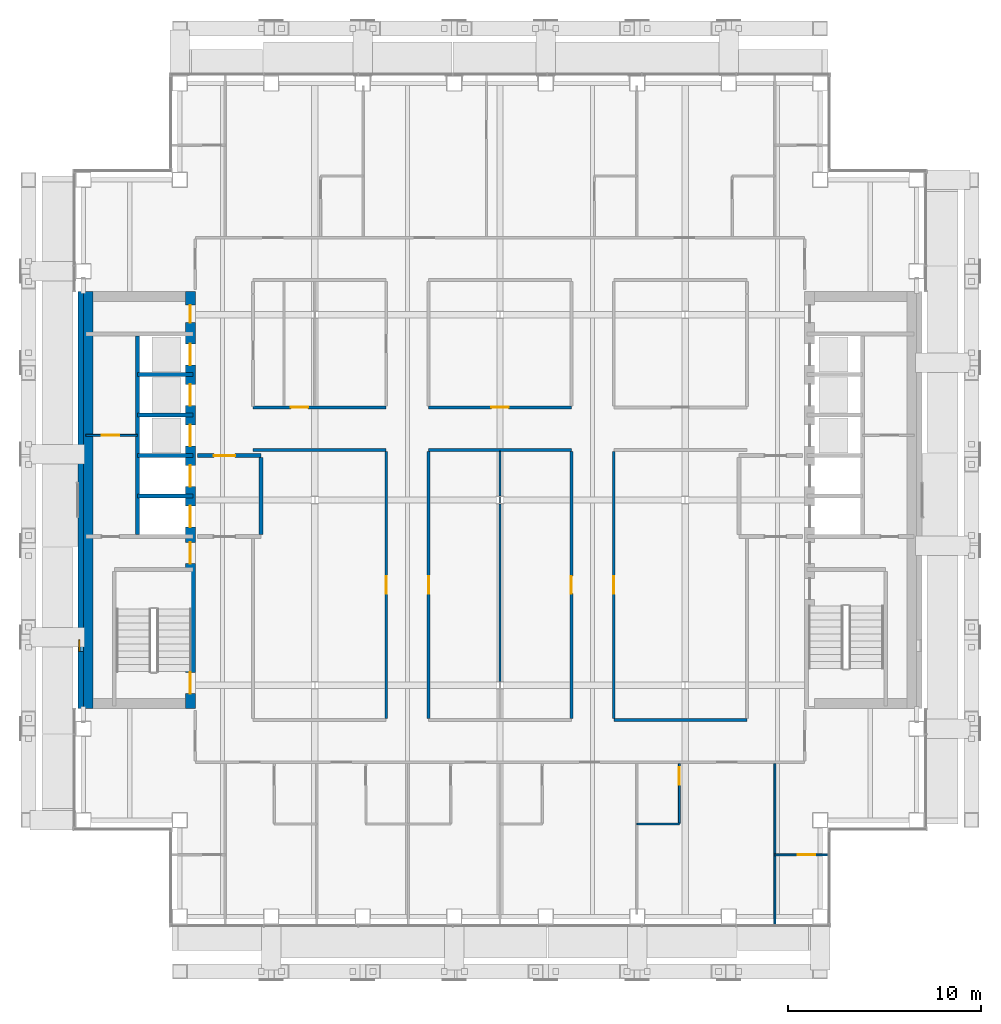
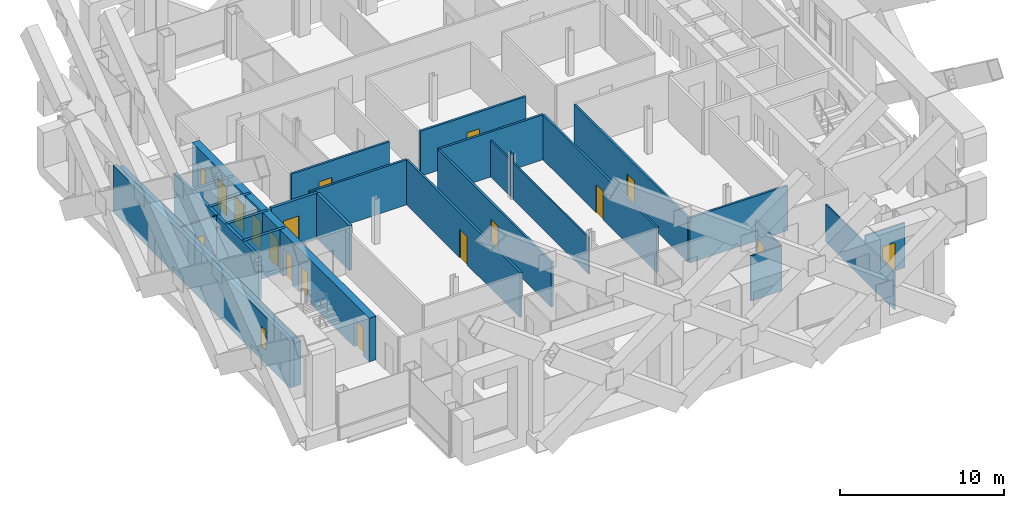
# One storey, part 14 of 25: 27 walls, 18 doors, 1 window, 19 openings.
"""IFC4 building model written with IfcOpenShell, lengths in metres."""

from ifc_helpers import new_model, si_unit, direction, frame, frame_2d, origin, place, context, subcontext, project, spatial, rectangle, extrude, material, layer, layer_set, type_object, element, fill, save


model = new_model("IFC4")

# Units and contexts
model_context = context("Model", 3, precision=1e-05, world=origin(), true_north=direction((0.0, 1.0)))
body_context = subcontext(model_context, "Body", "Model", "MODEL_VIEW")
ifc_project = project(units=[si_unit("LENGTHUNIT", "METRE"), si_unit("AREAUNIT", "SQUARE_METRE"), si_unit("VOLUMEUNIT", "CUBIC_METRE"), si_unit("PLANEANGLEUNIT", "RADIAN"), si_unit("MASSUNIT", "GRAM", prefix="KILO")], contexts=[model_context])

# Site, building, storey
site_placement = place(None, origin())
site = spatial("IfcSite", under=ifc_project, at=site_placement, CompositionType="ELEMENT")
building_placement = place(site_placement, origin())
building = spatial("IfcBuilding", under=site, at=building_placement, Name="Cobrizo Arcos Hotel Tower", CompositionType="ELEMENT")
storey_placement = place(building_placement, frame((0.0, 0.0, 148.0)))
storey = spatial("IfcBuildingStorey", under=building, at=storey_placement, Name="L37", CompositionType="ELEMENT", Elevation=148.0)

# Walls
ifc_material_1 = material(Name="Gypsum board partition")
ifc_layer_1 = layer(ifc_material_1, 0.14990234375)
ifc_layer_set_1 = layer_set([ifc_layer_1], Name="Corridor wall EI 60 150")
wall_type_1 = type_object("IfcWallType", Name="Corridor wall EI 60 150", PredefinedType="PARTITIONING", material=ifc_layer_set_1)
for number, where, z_axis, x_axis, name in (
    (1, (5.89990234375, -11.39990234375, 0.0), (0.0, 0.0, 1.0), (1.0, 0.0, 0.0), "Partition 010"),
    (2, (-12.800048828125, 2.60009765625, 0.0), (0.0, 0.0, 1.0), (1.0, 0.0, 0.0), "Partition 023"),
):
    element("IfcWall", number, at=place(storey_placement, frame(where, z_axis=z_axis, x_axis=x_axis)), inside=storey, type_object=wall_type_1, Name=name, PredefinedType="PARTITIONING", context=body_context, shape_type="SweptSolid", body=[
        extrude(rectangle(XDim=6.900146484375, YDim=0.14990234375, at=frame_2d((3.4501953125, 0.0))), origin(), (0.0, 0.0, 1.0), 3.35009765625),
    ])
wall_1_placement = place(storey_placement, frame((-3.699951171875, 2.60009765625, 0.0), z_axis=(0.0, 0.0, 1.0), x_axis=(1.0, 0.0, 0.0)))
element("IfcWall", 3, at=wall_1_placement, inside=storey, type_object=wall_type_1, Name="Partition 024", PredefinedType="PARTITIONING", context=body_context, shape_type="SweptSolid", body=[
    extrude(rectangle(XDim=7.39990234375, YDim=0.14990234375, at=frame_2d((3.699951171875, 0.0))), origin(), (0.0, 0.0, 1.0), 3.35009765625),
])

# Wall, opening, door
wall_2_placement = place(storey_placement, frame((-12.800048828125, 4.800048828125, 0.0), z_axis=(0.0, 0.0, 1.0), x_axis=(1.0, 0.0, 0.0)))
wall_2 = element("IfcWall", 4, at=wall_2_placement, inside=storey, type_object=wall_type_1, Name="Partition 030", PredefinedType="PARTITIONING", context=body_context, shape_type="SweptSolid", body=[
    extrude(rectangle(XDim=6.900146484375, YDim=0.14990234375, at=frame_2d((3.4501953125, 0.0))), origin(), (0.0, 0.0, 1.0), 3.35009765625),
])
opening_1_placement = place(wall_2_placement, frame((1.949951171875, 0.0, 0.0)))
opening_1 = element("IfcOpeningElement", 5, at=opening_1_placement, cuts=wall_2, Name="Opening ED-14", PredefinedType="OPENING", context=body_context, shape_type="SweptSolid", body=[
    extrude(rectangle(XDim=0.89990234375, YDim=2.10009765625, at=frame_2d((0.449951171875, 1.050048828125))), frame((0.0, 0.0869140625, 0.0), z_axis=(0.0, -1.0, 0.0), x_axis=(1.0, 0.0, 0.0)), (0.0, 0.0, 1.0), 0.173828125),
])
ifc_material_2 = material(Name="Timber door leaf", Category="wood")
door_type_1 = type_object("IfcDoorType", Name="En-suite door 900x2100", OperationType="SINGLE_SWING_LEFT", PredefinedType="DOOR", material=ifc_material_2)
door_1_placement = place(opening_1_placement, origin())
door_1 = element("IfcDoor", 6, at=door_1_placement, inside=storey, type_object=door_type_1, Name="Door ED-14", OperationType="SINGLE_SWING_LEFT", OverallHeight=2.10009765625, OverallWidth=0.89990234375, PredefinedType="DOOR", context=body_context, shape_type="SweptSolid", body=[
    extrude(rectangle(XDim=0.89990234375, YDim=2.10009765625, at=frame_2d((0.449951171875, 1.050048828125))), frame((0.0, 0.02490234375, 0.0), z_axis=(0.0, -1.0, 0.0), x_axis=(1.0, 0.0, 0.0)), (0.0, 0.0, 1.0), 0.050048828125),
])
fill(opening_1, door_1)

wall_3_placement = place(storey_placement, frame((-3.699951171875, 4.800048828125, 0.0), z_axis=(0.0, 0.0, 1.0), x_axis=(1.0, 0.0, 0.0)))
wall_3 = element("IfcWall", 7, at=wall_3_placement, inside=storey, type_object=wall_type_1, Name="Partition 031", PredefinedType="PARTITIONING", context=body_context, shape_type="SweptSolid", body=[
    extrude(rectangle(XDim=7.39990234375, YDim=0.14990234375, at=frame_2d((3.699951171875, 0.0))), origin(), (0.0, 0.0, 1.0), 3.35009765625),
])
opening_2_placement = place(wall_3_placement, frame((3.25, 0.0, 0.0)))
opening_2 = element("IfcOpeningElement", 8, at=opening_2_placement, cuts=wall_3, Name="Opening RD-10", PredefinedType="OPENING", context=body_context, shape_type="SweptSolid", body=[
    extrude(rectangle(XDim=0.89990234375, YDim=2.10009765625, at=frame_2d((0.449951171875, 1.050048828125))), frame((0.0, 0.0869140625, 0.0), z_axis=(0.0, -1.0, 0.0), x_axis=(1.0, 0.0, 0.0)), (0.0, 0.0, 1.0), 0.173828125),
])
door_type_2 = type_object("IfcDoorType", Name="Room door FD30 900x2100", OperationType="SINGLE_SWING_LEFT", PredefinedType="DOOR", material=ifc_material_2)
door_2_placement = place(opening_2_placement, origin())
door_2 = element("IfcDoor", 9, at=door_2_placement, inside=storey, type_object=door_type_2, Name="Door RD-10", OperationType="SINGLE_SWING_LEFT", OverallHeight=2.10009765625, OverallWidth=0.89990234375, PredefinedType="DOOR", context=body_context, shape_type="SweptSolid", body=[
    extrude(rectangle(XDim=0.89990234375, YDim=2.10009765625, at=frame_2d((0.449951171875, 1.050048828125))), frame((0.0, 0.02490234375, 0.0), z_axis=(0.0, -1.0, 0.0), x_axis=(1.0, 0.0, 0.0)), (0.0, 0.0, 1.0), 0.050048828125),
])
fill(opening_2, door_2)

wall_4_placement = place(storey_placement, frame((-5.89990234375, -11.324951171875, 0.0), z_axis=(0.0, 0.0, 1.0), x_axis=(0.0, 1.0, 0.0)))
wall_4 = element("IfcWall", 10, at=wall_4_placement, inside=storey, type_object=wall_type_1, Name="Partition 066", PredefinedType="PARTITIONING", context=body_context, shape_type="SweptSolid", body=[
    extrude(rectangle(XDim=13.849853515625, YDim=0.14990234375, at=frame_2d((6.9248046875, 0.0))), origin(), (0.0, 0.0, 1.0), 3.35009765625),
])
opening_3_placement = place(wall_4_placement, frame((6.47509765625, 0.0, 0.0)))
opening_3 = element("IfcOpeningElement", 11, at=opening_3_placement, cuts=wall_4, Name="Opening RD-14", PredefinedType="OPENING", context=body_context, shape_type="SweptSolid", body=[
    extrude(rectangle(XDim=0.89990234375, YDim=2.10009765625, at=frame_2d((0.449951171875, 1.050048828125))), frame((0.0, 0.0869140625, 0.0), z_axis=(0.0, -1.0, 0.0), x_axis=(1.0, 0.0, 0.0)), (0.0, 0.0, 1.0), 0.173828125),
])
door_3_placement = place(opening_3_placement, origin())
door_3 = element("IfcDoor", 12, at=door_3_placement, inside=storey, type_object=door_type_2, Name="Door RD-14", OperationType="SINGLE_SWING_LEFT", OverallHeight=2.10009765625, OverallWidth=0.89990234375, PredefinedType="DOOR", context=body_context, shape_type="SweptSolid", body=[
    extrude(rectangle(XDim=0.89990234375, YDim=2.10009765625, at=frame_2d((0.449951171875, 1.050048828125))), frame((0.0, 0.02490234375, 0.0), z_axis=(0.0, -1.0, 0.0), x_axis=(1.0, 0.0, 0.0)), (0.0, 0.0, 1.0), 0.050048828125),
])
fill(opening_3, door_3)

wall_5_placement = place(storey_placement, frame((-3.699951171875, -11.324951171875, 0.0), z_axis=(0.0, 0.0, 1.0), x_axis=(0.0, 1.0, 0.0)))
wall_5 = element("IfcWall", 13, at=wall_5_placement, inside=storey, type_object=wall_type_1, Name="Partition 070", PredefinedType="PARTITIONING", context=body_context, shape_type="SweptSolid", body=[
    extrude(rectangle(XDim=13.849853515625, YDim=0.14990234375, at=frame_2d((6.9248046875, 0.0))), origin(), (0.0, 0.0, 1.0), 3.35009765625),
])
opening_4_placement = place(wall_5_placement, frame((6.47509765625, 0.0, 0.0)))
opening_4 = element("IfcOpeningElement", 14, at=opening_4_placement, cuts=wall_5, Name="Opening RD-11", PredefinedType="OPENING", context=body_context, shape_type="SweptSolid", body=[
    extrude(rectangle(XDim=0.89990234375, YDim=2.10009765625, at=frame_2d((0.449951171875, 1.050048828125))), frame((0.0, 0.0869140625, 0.0), z_axis=(0.0, -1.0, 0.0), x_axis=(1.0, 0.0, 0.0)), (0.0, 0.0, 1.0), 0.173828125),
])
door_4_placement = place(opening_4_placement, origin())
door_4 = element("IfcDoor", 15, at=door_4_placement, inside=storey, type_object=door_type_2, Name="Door RD-11", OperationType="SINGLE_SWING_RIGHT", OverallHeight=2.10009765625, OverallWidth=0.89990234375, PredefinedType="DOOR", context=body_context, shape_type="SweptSolid", body=[
    extrude(rectangle(XDim=0.89990234375, YDim=2.10009765625, at=frame_2d((0.449951171875, 1.050048828125))), frame((0.0, 0.02490234375, 0.0), z_axis=(0.0, -1.0, 0.0), x_axis=(1.0, 0.0, 0.0)), (0.0, 0.0, 1.0), 0.050048828125),
])
fill(opening_4, door_4)

wall_6_placement = place(storey_placement, frame((3.699951171875, -11.324951171875, 0.0), z_axis=(0.0, 0.0, 1.0), x_axis=(0.0, 1.0, 0.0)))
wall_6 = element("IfcWall", 16, at=wall_6_placement, inside=storey, type_object=wall_type_1, Name="Partition 081", PredefinedType="PARTITIONING", context=body_context, shape_type="SweptSolid", body=[
    extrude(rectangle(XDim=13.849853515625, YDim=0.14990234375, at=frame_2d((6.9248046875, 0.0))), origin(), (0.0, 0.0, 1.0), 3.35009765625),
])
opening_5_placement = place(wall_6_placement, frame((6.47509765625, 0.0, 0.0)))
opening_5 = element("IfcOpeningElement", 17, at=opening_5_placement, cuts=wall_6, Name="Opening RD-12", PredefinedType="OPENING", context=body_context, shape_type="SweptSolid", body=[
    extrude(rectangle(XDim=0.89990234375, YDim=2.10009765625, at=frame_2d((0.449951171875, 1.050048828125))), frame((0.0, 0.0869140625, 0.0), z_axis=(0.0, -1.0, 0.0), x_axis=(1.0, 0.0, 0.0)), (0.0, 0.0, 1.0), 0.173828125),
])
door_5_placement = place(opening_5_placement, origin())
door_5 = element("IfcDoor", 18, at=door_5_placement, inside=storey, type_object=door_type_2, Name="Door RD-12", OperationType="SINGLE_SWING_LEFT", OverallHeight=2.10009765625, OverallWidth=0.89990234375, PredefinedType="DOOR", context=body_context, shape_type="SweptSolid", body=[
    extrude(rectangle(XDim=0.89990234375, YDim=2.10009765625, at=frame_2d((0.449951171875, 1.050048828125))), frame((0.0, 0.02490234375, 0.0), z_axis=(0.0, -1.0, 0.0), x_axis=(1.0, 0.0, 0.0)), (0.0, 0.0, 1.0), 0.050048828125),
])
fill(opening_5, door_5)

wall_7_placement = place(storey_placement, frame((5.89990234375, -11.324951171875, 0.0), z_axis=(0.0, 0.0, 1.0), x_axis=(0.0, 1.0, 0.0)))
wall_7 = element("IfcWall", 19, at=wall_7_placement, inside=storey, type_object=wall_type_1, Name="Partition 084", PredefinedType="PARTITIONING", context=body_context, shape_type="SweptSolid", body=[
    extrude(rectangle(XDim=13.849853515625, YDim=0.14990234375, at=frame_2d((6.9248046875, 0.0))), origin(), (0.0, 0.0, 1.0), 3.35009765625),
])
opening_6_placement = place(wall_7_placement, frame((6.47509765625, 0.0, 0.0)))
opening_6 = element("IfcOpeningElement", 20, at=opening_6_placement, cuts=wall_7, Name="Opening RD-13", PredefinedType="OPENING", context=body_context, shape_type="SweptSolid", body=[
    extrude(rectangle(XDim=0.89990234375, YDim=2.10009765625, at=frame_2d((0.449951171875, 1.050048828125))), frame((0.0, 0.0869140625, 0.0), z_axis=(0.0, -1.0, 0.0), x_axis=(1.0, 0.0, 0.0)), (0.0, 0.0, 1.0), 0.173828125),
])
door_6_placement = place(opening_6_placement, origin())
door_6 = element("IfcDoor", 21, at=door_6_placement, inside=storey, type_object=door_type_2, Name="Door RD-13", OperationType="SINGLE_SWING_RIGHT", OverallHeight=2.10009765625, OverallWidth=0.89990234375, PredefinedType="DOOR", context=body_context, shape_type="SweptSolid", body=[
    extrude(rectangle(XDim=0.89990234375, YDim=2.10009765625, at=frame_2d((0.449951171875, 1.050048828125))), frame((0.0, 0.02490234375, 0.0), z_axis=(0.0, -1.0, 0.0), x_axis=(1.0, 0.0, 0.0)), (0.0, 0.0, 1.0), 0.050048828125),
])
fill(opening_6, door_6)

# Wall, opening, window
ifc_material_3 = material(Name="Aluminium composite panel pale metal", Category="aluminium")
ifc_layer_2 = layer(ifc_material_3, 0.27490234375)
ifc_layer_set_2 = layer_set([ifc_layer_2], Name="EW-1 insulated panel wall 275")
wall_type_2 = type_object("IfcWallType", Name="EW-1 insulated panel wall 275", PredefinedType="SOLIDWALL", material=ifc_layer_set_2)
wall_8_placement = place(storey_placement, frame((-21.737548828125, 10.800048828125, 0.0), z_axis=(0.0, 0.0, 1.0), x_axis=(0.0, -1.0, 0.0)))
wall_8 = element("IfcWall", 22, at=wall_8_placement, inside=storey, type_object=wall_type_2, Name="Core face wall L37 W", PredefinedType="SOLIDWALL", context=body_context, shape_type="SweptSolid", body=[
    extrude(rectangle(XDim=21.60009765625, YDim=0.27490234375, at=frame_2d((10.800048828125, 0.0))), origin(), (0.0, 0.0, 1.0), 3.5),
])
opening_7_placement = place(wall_8_placement, frame((18.050048828125, 0.0, 1.0)))
opening_7 = element("IfcOpeningElement", 23, at=opening_7_placement, cuts=wall_8, Name="Opening W-82", PredefinedType="OPENING", context=body_context, shape_type="SweptSolid", body=[
    extrude(rectangle(XDim=0.60009765625, YDim=1.5, at=frame_2d((0.300048828125, 0.75))), frame((0.0, 0.1494140625, 0.0), z_axis=(0.0, -1.0, 0.0), x_axis=(1.0, 0.0, 0.0)), (0.0, 0.0, 1.0), 0.298828125),
])
ifc_material_4 = material(Name="Aluminium 6063-T6 and clear laminated glass", Category="aluminium")
window_type = type_object("IfcWindowType", Name="W-C1 core stair slot window 600x1500", PartitioningType="SINGLE_PANEL", PredefinedType="WINDOW", material=ifc_material_4)
window_placement = place(opening_7_placement, origin())
window = element("IfcWindow", 24, at=window_placement, inside=storey, type_object=window_type, Name="Core face wall L37 W window W-82", OverallHeight=1.5, OverallWidth=0.60009765625, PartitioningType="SINGLE_PANEL", PredefinedType="WINDOW", context=body_context, shape_type="SweptSolid", body=[
    extrude(rectangle(XDim=0.60009765625, YDim=1.5, at=frame_2d((0.300048828125, 0.75))), frame((0.0, -0.04736328125, 0.0), z_axis=(0.0, -1.0, 0.0), x_axis=(1.0, 0.0, 0.0)), (0.0, 0.0, 1.0), 0.06005859375),
])
fill(opening_7, window)

# Wall, opening, door
ifc_layer_3 = layer(ifc_material_1, 0.10009765625)
ifc_layer_set_3 = layer_set([ifc_layer_3], Name="Partition EI 30 100")
wall_type_3 = type_object("IfcWallType", Name="Partition EI 30 100", PredefinedType="PARTITIONING", material=ifc_layer_set_3)
wall_9_placement = place(storey_placement, frame((14.25, -18.39990234375, 0.0), z_axis=(0.0, 0.0, 1.0), x_axis=(1.0, 0.0, 0.0)))
wall_9 = element("IfcWall", 25, at=wall_9_placement, inside=storey, type_object=wall_type_3, Name="Partition 002", PredefinedType="PARTITIONING", context=body_context, shape_type="SweptSolid", body=[
    extrude(rectangle(XDim=2.780029296875, YDim=0.10009765625, at=frame_2d((1.39013671875, 0.0))), origin(), (0.0, 0.0, 1.0), 3.35009765625),
])
opening_8_placement = place(wall_9_placement, frame((1.18896484375, 0.0, 0.0)))
opening_8 = element("IfcOpeningElement", 26, at=opening_8_placement, cuts=wall_9, Name="Opening ED-11", PredefinedType="OPENING", context=body_context, shape_type="SweptSolid", body=[
    extrude(rectangle(XDim=0.89990234375, YDim=2.10009765625, at=frame_2d((0.449951171875, 1.050048828125))), frame((0.0, 0.06201171875, 0.0), z_axis=(0.0, -1.0, 0.0), x_axis=(1.0, 0.0, 0.0)), (0.0, 0.0, 1.0), 0.1240234375),
])
door_7_placement = place(opening_8_placement, origin())
door_7 = element("IfcDoor", 27, at=door_7_placement, inside=storey, type_object=door_type_1, Name="Door ED-11", OperationType="SINGLE_SWING_RIGHT", OverallHeight=2.10009765625, OverallWidth=0.89990234375, PredefinedType="DOOR", context=body_context, shape_type="SweptSolid", body=[
    extrude(rectangle(XDim=0.89990234375, YDim=2.10009765625, at=frame_2d((0.449951171875, 1.050048828125))), frame((0.0, 0.02490234375, 0.0), z_axis=(0.0, -1.0, 0.0), x_axis=(1.0, 0.0, 0.0)), (0.0, 0.0, 1.0), 0.050048828125),
])
fill(opening_8, door_7)

# Wall
wall_10_placement = place(storey_placement, frame((7.10009765625, -16.800048828125, 0.0), z_axis=(0.0, 0.0, 1.0), x_axis=(1.0, 0.0, 0.0)))
element("IfcWall", 28, at=wall_10_placement, inside=storey, type_object=wall_type_3, Name="Partition 006", PredefinedType="PARTITIONING", context=body_context, shape_type="SweptSolid", body=[
    extrude(rectangle(XDim=2.199951171875, YDim=0.10009765625, at=frame_2d((1.10009765625, 0.0))), origin(), (0.0, 0.0, 1.0), 3.35009765625),
])

# Wall, opening, door
wall_11_placement = place(storey_placement, frame((-21.47998046875, 3.35009765625, 0.0), z_axis=(0.0, 0.0, 1.0), x_axis=(1.0, 0.0, 0.0)))
wall_11 = element("IfcWall", 29, at=wall_11_placement, inside=storey, type_object=wall_type_3, Name="Partition 026", PredefinedType="PARTITIONING", context=body_context, shape_type="SweptSolid", body=[
    extrude(rectangle(XDim=2.679931640625, YDim=0.10009765625, at=frame_2d((1.33984375, 0.0))), origin(), (0.0, 0.0, 1.0), 3.25),
])
opening_9_placement = place(wall_11_placement, frame((0.830078125, 0.0, 0.0)))
opening_9 = element("IfcOpeningElement", 30, at=opening_9_placement, cuts=wall_11, Name="Opening RD-03", PredefinedType="OPENING", context=body_context, shape_type="SweptSolid", body=[
    extrude(rectangle(XDim=0.89990234375, YDim=2.10009765625, at=frame_2d((0.449951171875, 1.050048828125))), frame((0.0, 0.06201171875, 0.0), z_axis=(0.0, -1.0, 0.0), x_axis=(1.0, 0.0, 0.0)), (0.0, 0.0, 1.0), 0.1240234375),
])
door_8_placement = place(opening_9_placement, origin())
door_8 = element("IfcDoor", 31, at=door_8_placement, inside=storey, type_object=door_type_2, Name="Door RD-03", OperationType="SINGLE_SWING_LEFT", OverallHeight=2.10009765625, OverallWidth=0.89990234375, PredefinedType="DOOR", context=body_context, shape_type="SweptSolid", body=[
    extrude(rectangle(XDim=0.89990234375, YDim=2.10009765625, at=frame_2d((0.449951171875, 1.050048828125))), frame((0.0, 0.02490234375, 0.0), z_axis=(0.0, -1.0, 0.0), x_axis=(1.0, 0.0, 0.0)), (0.0, 0.0, 1.0), 0.050048828125),
])
fill(opening_9, door_8)

# Walls
wall_12_placement = place(storey_placement, frame((0.0, -9.4130859375, 0.0), z_axis=(0.0, 0.0, 1.0), x_axis=(0.0, 1.0, 0.0)))
element("IfcWall", 32, at=wall_12_placement, inside=storey, type_object=wall_type_3, Name="Partition 077", PredefinedType="PARTITIONING", context=body_context, shape_type="SweptSolid", body=[
    extrude(rectangle(XDim=9.22607421875, YDim=0.10009765625, at=frame_2d((4.613037109375, 0.0))), origin(), (0.0, 0.0, 1.0), 2.72802734375),
])
wall_13_placement = place(storey_placement, frame((0.0, -0.18701171875, 0.0), z_axis=(0.0, 0.0, 1.0), x_axis=(0.0, 1.0, 0.0)))
element("IfcWall", 33, at=wall_13_placement, inside=storey, type_object=wall_type_3, Name="Partition 078", PredefinedType="PARTITIONING", context=body_context, shape_type="SweptSolid", body=[
    extrude(rectangle(XDim=0.3740234375, YDim=0.10009765625, at=frame_2d((0.18701171875, 0.0))), origin(), (0.0, 0.0, 1.0), 3.35009765625),
])
wall_14_placement = place(storey_placement, frame((0.0, 0.18701171875, 0.0), z_axis=(0.0, 0.0, 1.0), x_axis=(0.0, 1.0, 0.0)))
element("IfcWall", 34, at=wall_14_placement, inside=storey, type_object=wall_type_3, Name="Partition 079", PredefinedType="PARTITIONING", context=body_context, shape_type="SweptSolid", body=[
    extrude(rectangle(XDim=2.337890625, YDim=0.10009765625, at=frame_2d((1.1689453125, 0.0))), origin(), (0.0, 0.0, 1.0), 2.72802734375),
])

# Wall, opening, door
wall_15_placement = place(storey_placement, frame((9.300048828125, -16.75, 0.0), z_axis=(0.0, 0.0, 1.0), x_axis=(0.0, 1.0, 0.0)))
wall_15 = element("IfcWall", 35, at=wall_15_placement, inside=storey, type_object=wall_type_3, Name="Partition 088", PredefinedType="PARTITIONING", context=body_context, shape_type="SweptSolid", body=[
    extrude(rectangle(XDim=3.074951171875, YDim=0.10009765625, at=frame_2d((1.53759765625, 0.0))), origin(), (0.0, 0.0, 1.0), 3.35009765625),
])
opening_10_placement = place(wall_15_placement, frame((1.99609375, 0.0, 0.0)))
opening_10 = element("IfcOpeningElement", 36, at=opening_10_placement, cuts=wall_15, Name="Opening ED-08", PredefinedType="OPENING", context=body_context, shape_type="SweptSolid", body=[
    extrude(rectangle(XDim=0.89990234375, YDim=2.10009765625, at=frame_2d((0.449951171875, 1.050048828125))), frame((0.0, 0.06201171875, 0.0), z_axis=(0.0, -1.0, 0.0), x_axis=(1.0, 0.0, 0.0)), (0.0, 0.0, 1.0), 0.1240234375),
])
door_9_placement = place(opening_10_placement, origin())
door_9 = element("IfcDoor", 37, at=door_9_placement, inside=storey, type_object=door_type_1, Name="Door ED-08", OperationType="SINGLE_SWING_RIGHT", OverallHeight=2.10009765625, OverallWidth=0.89990234375, PredefinedType="DOOR", context=body_context, shape_type="SweptSolid", body=[
    extrude(rectangle(XDim=0.89990234375, YDim=2.10009765625, at=frame_2d((0.449951171875, 1.050048828125))), frame((0.0, 0.02490234375, 0.0), z_axis=(0.0, -1.0, 0.0), x_axis=(1.0, 0.0, 0.0)), (0.0, 0.0, 1.0), 0.050048828125),
])
fill(opening_10, door_9)

# Wall
wall_16_placement = place(storey_placement, frame((14.25, -22.030029296875, 0.0), z_axis=(0.0, 0.0, 1.0), x_axis=(0.0, 1.0, 0.0)))
element("IfcWall", 38, at=wall_16_placement, inside=storey, type_object=wall_type_3, Name="Partition 094", PredefinedType="PARTITIONING", context=body_context, shape_type="SweptSolid", body=[
    extrude(rectangle(XDim=8.35498046875, YDim=0.10009765625, at=frame_2d((4.177490234375, 0.0))), origin(), (0.0, 0.0, 1.0), 2.81689453125),
])

# Wall, openings, doors
ifc_material_5 = material(Name="Concrete f'c 50 MPa", Category="concrete")
ifc_layer_4 = layer(ifc_material_5, 0.5)
ifc_layer_set_4 = layer_set([ifc_layer_4], Name="RC core wall 500 f'c 50")
wall_type_4 = type_object("IfcWallType", Name="RC core wall 500 f'c 50", PredefinedType="SHEAR", material=ifc_layer_set_4)
wall_17_placement = place(storey_placement, frame((-16.050048828125, -10.800048828125, 0.0), z_axis=(0.0, 0.0, 1.0), x_axis=(0.0, 1.0, 0.0)))
wall_17 = element("IfcWall", 39, at=wall_17_placement, inside=storey, type_object=wall_type_4, Name="Core wall CW3, west core, inner face, L37", PredefinedType="SHEAR", context=body_context, shape_type="SweptSolid", body=[
    extrude(rectangle(XDim=21.60009765625, YDim=0.5, at=frame_2d((10.800048828125, 0.0))), origin(), (0.0, 0.0, 1.0), 3.25),
])
opening_11_placement = place(wall_17_placement, frame((9.39990234375, 0.0, 0.0)))
opening_11 = element("IfcOpeningElement", 40, at=opening_11_placement, cuts=wall_17, Name="Opening LD-01", PredefinedType="OPENING", context=body_context, shape_type="SweptSolid", body=[
    extrude(rectangle(XDim=1.10009765625, YDim=2.10009765625, at=frame_2d((0.550048828125, 1.050048828125))), frame((0.0, 0.261962890625, 0.0), z_axis=(0.0, -1.0, 0.0), x_axis=(1.0, 0.0, 0.0)), (0.0, 0.0, 1.0), 0.52392578125),
])
opening_12_placement = place(wall_17_placement, frame((11.5, 0.0, 0.0)))
opening_12 = element("IfcOpeningElement", 41, at=opening_12_placement, cuts=wall_17, Name="Opening LD-02", PredefinedType="OPENING", context=body_context, shape_type="SweptSolid", body=[
    extrude(rectangle(XDim=1.10009765625, YDim=2.10009765625, at=frame_2d((0.550048828125, 1.050048828125))), frame((0.0, 0.261962890625, 0.0), z_axis=(0.0, -1.0, 0.0), x_axis=(1.0, 0.0, 0.0)), (0.0, 0.0, 1.0), 0.52392578125),
])
opening_13_placement = place(wall_17_placement, frame((13.60009765625, 0.0, 0.0)))
opening_13 = element("IfcOpeningElement", 42, at=opening_13_placement, cuts=wall_17, Name="Opening LD-03", PredefinedType="OPENING", context=body_context, shape_type="SweptSolid", body=[
    extrude(rectangle(XDim=1.10009765625, YDim=2.10009765625, at=frame_2d((0.550048828125, 1.050048828125))), frame((0.0, 0.261962890625, 0.0), z_axis=(0.0, -1.0, 0.0), x_axis=(1.0, 0.0, 0.0)), (0.0, 0.0, 1.0), 0.52392578125),
])
opening_14_placement = place(wall_17_placement, frame((15.699951171875, 0.0, 0.0)))
opening_14 = element("IfcOpeningElement", 43, at=opening_14_placement, cuts=wall_17, Name="Opening LD-04", PredefinedType="OPENING", context=body_context, shape_type="SweptSolid", body=[
    extrude(rectangle(XDim=1.10009765625, YDim=2.10009765625, at=frame_2d((0.550048828125, 1.050048828125))), frame((0.0, 0.261962890625, 0.0), z_axis=(0.0, -1.0, 0.0), x_axis=(1.0, 0.0, 0.0)), (0.0, 0.0, 1.0), 0.52392578125),
])
opening_15_placement = place(wall_17_placement, frame((17.800048828125, 0.0, 0.0)))
opening_15 = element("IfcOpeningElement", 44, at=opening_15_placement, cuts=wall_17, Name="Opening LD-05", PredefinedType="OPENING", context=body_context, shape_type="SweptSolid", body=[
    extrude(rectangle(XDim=1.10009765625, YDim=2.10009765625, at=frame_2d((0.550048828125, 1.050048828125))), frame((0.0, 0.261962890625, 0.0), z_axis=(0.0, -1.0, 0.0), x_axis=(1.0, 0.0, 0.0)), (0.0, 0.0, 1.0), 0.52392578125),
])
opening_16_placement = place(wall_17_placement, frame((0.758056640625, 0.0, 0.0)))
opening_16 = element("IfcOpeningElement", 45, at=opening_16_placement, cuts=wall_17, Name="Opening SD-01", PredefinedType="OPENING", context=body_context, shape_type="SweptSolid", body=[
    extrude(rectangle(XDim=1.10009765625, YDim=2.10009765625, at=frame_2d((0.550048828125, 1.050048828125))), frame((0.0, 0.261962890625, 0.0), z_axis=(0.0, -1.0, 0.0), x_axis=(1.0, 0.0, 0.0)), (0.0, 0.0, 1.0), 0.52392578125),
])
opening_17_placement = place(wall_17_placement, frame((7.5, 0.0, 0.0)))
opening_17 = element("IfcOpeningElement", 46, at=opening_17_placement, cuts=wall_17, Name="Opening FD-01", PredefinedType="OPENING", context=body_context, shape_type="SweptSolid", body=[
    extrude(rectangle(XDim=1.10009765625, YDim=2.10009765625, at=frame_2d((0.550048828125, 1.050048828125))), frame((0.0, 0.261962890625, 0.0), z_axis=(0.0, -1.0, 0.0), x_axis=(1.0, 0.0, 0.0)), (0.0, 0.0, 1.0), 0.52392578125),
])
opening_18_placement = place(wall_17_placement, frame((20.0, 0.0, 0.0)))
opening_18 = element("IfcOpeningElement", 47, at=opening_18_placement, cuts=wall_17, Name="Opening RD-01", PredefinedType="OPENING", context=body_context, shape_type="SweptSolid", body=[
    extrude(rectangle(XDim=0.89990234375, YDim=2.10009765625, at=frame_2d((0.449951171875, 1.050048828125))), frame((0.0, 0.261962890625, 0.0), z_axis=(0.0, -1.0, 0.0), x_axis=(1.0, 0.0, 0.0)), (0.0, 0.0, 1.0), 0.52392578125),
])
ifc_material_6 = material(Name="Steel door leaf", Category="steel")
door_type_3 = type_object("IfcDoorType", Name="Fire door FD60 1100x2100", OperationType="SINGLE_SWING_LEFT", PredefinedType="DOOR", material=ifc_material_6)
door_10_placement = place(opening_17_placement, origin())
door_10 = element("IfcDoor", 48, at=door_10_placement, inside=storey, type_object=door_type_3, Name="Door FD-01", OperationType="SINGLE_SWING_RIGHT", OverallHeight=2.10009765625, OverallWidth=1.10009765625, PredefinedType="DOOR", context=body_context, shape_type="SweptSolid", body=[
    extrude(rectangle(XDim=1.10009765625, YDim=2.10009765625, at=frame_2d((0.550048828125, 1.050048828125))), frame((0.0, 0.02490234375, 0.0), z_axis=(0.0, -1.0, 0.0), x_axis=(1.0, 0.0, 0.0)), (0.0, 0.0, 1.0), 0.050048828125),
])
fill(opening_17, door_10)
door_type_4 = type_object("IfcDoorType", Name="Lift landing door 1100x2100", OperationType="SLIDING_TO_LEFT", PredefinedType="DOOR", material=ifc_material_6)
door_11_placement = place(opening_11_placement, origin())
door_11 = element("IfcDoor", 49, at=door_11_placement, inside=storey, type_object=door_type_4, Name="Lift landing door LD-01", OperationType="SLIDING_TO_LEFT", OverallHeight=2.10009765625, OverallWidth=1.10009765625, PredefinedType="DOOR", context=body_context, shape_type="SweptSolid", body=[
    extrude(rectangle(XDim=1.10009765625, YDim=2.10009765625, at=frame_2d((0.550048828125, 1.050048828125))), frame((0.0, 0.02490234375, 0.0), z_axis=(0.0, -1.0, 0.0), x_axis=(1.0, 0.0, 0.0)), (0.0, 0.0, 1.0), 0.050048828125),
])
fill(opening_11, door_11)
door_12_placement = place(opening_12_placement, origin())
door_12 = element("IfcDoor", 50, at=door_12_placement, inside=storey, type_object=door_type_4, Name="Lift landing door LD-02", OperationType="SLIDING_TO_LEFT", OverallHeight=2.10009765625, OverallWidth=1.10009765625, PredefinedType="DOOR", context=body_context, shape_type="SweptSolid", body=[
    extrude(rectangle(XDim=1.10009765625, YDim=2.10009765625, at=frame_2d((0.550048828125, 1.050048828125))), frame((0.0, 0.02490234375, 0.0), z_axis=(0.0, -1.0, 0.0), x_axis=(1.0, 0.0, 0.0)), (0.0, 0.0, 1.0), 0.050048828125),
])
fill(opening_12, door_12)
door_13_placement = place(opening_13_placement, origin())
door_13 = element("IfcDoor", 51, at=door_13_placement, inside=storey, type_object=door_type_4, Name="Lift landing door LD-03", OperationType="SLIDING_TO_LEFT", OverallHeight=2.10009765625, OverallWidth=1.10009765625, PredefinedType="DOOR", context=body_context, shape_type="SweptSolid", body=[
    extrude(rectangle(XDim=1.10009765625, YDim=2.10009765625, at=frame_2d((0.550048828125, 1.050048828125))), frame((0.0, 0.02490234375, 0.0), z_axis=(0.0, -1.0, 0.0), x_axis=(1.0, 0.0, 0.0)), (0.0, 0.0, 1.0), 0.050048828125),
])
fill(opening_13, door_13)
door_14_placement = place(opening_14_placement, origin())
door_14 = element("IfcDoor", 52, at=door_14_placement, inside=storey, type_object=door_type_4, Name="Lift landing door LD-04", OperationType="SLIDING_TO_LEFT", OverallHeight=2.10009765625, OverallWidth=1.10009765625, PredefinedType="DOOR", context=body_context, shape_type="SweptSolid", body=[
    extrude(rectangle(XDim=1.10009765625, YDim=2.10009765625, at=frame_2d((0.550048828125, 1.050048828125))), frame((0.0, 0.02490234375, 0.0), z_axis=(0.0, -1.0, 0.0), x_axis=(1.0, 0.0, 0.0)), (0.0, 0.0, 1.0), 0.050048828125),
])
fill(opening_14, door_14)
door_15_placement = place(opening_15_placement, origin())
door_15 = element("IfcDoor", 53, at=door_15_placement, inside=storey, type_object=door_type_4, Name="Lift landing door LD-05", OperationType="SLIDING_TO_LEFT", OverallHeight=2.10009765625, OverallWidth=1.10009765625, PredefinedType="DOOR", context=body_context, shape_type="SweptSolid", body=[
    extrude(rectangle(XDim=1.10009765625, YDim=2.10009765625, at=frame_2d((0.550048828125, 1.050048828125))), frame((0.0, 0.02490234375, 0.0), z_axis=(0.0, -1.0, 0.0), x_axis=(1.0, 0.0, 0.0)), (0.0, 0.0, 1.0), 0.050048828125),
])
fill(opening_15, door_15)
door_16_placement = place(opening_18_placement, origin())
door_16 = element("IfcDoor", 54, at=door_16_placement, inside=storey, type_object=door_type_2, Name="Door RD-01", OperationType="SINGLE_SWING_LEFT", OverallHeight=2.10009765625, OverallWidth=0.89990234375, PredefinedType="DOOR", context=body_context, shape_type="SweptSolid", body=[
    extrude(rectangle(XDim=0.89990234375, YDim=2.10009765625, at=frame_2d((0.449951171875, 1.050048828125))), frame((0.0, 0.02490234375, 0.0), z_axis=(0.0, -1.0, 0.0), x_axis=(1.0, 0.0, 0.0)), (0.0, 0.0, 1.0), 0.050048828125),
])
fill(opening_18, door_16)
door_type_5 = type_object("IfcDoorType", Name="Stair door FD60S 1100x2100", OperationType="SINGLE_SWING_LEFT", PredefinedType="DOOR", material=ifc_material_6)
door_17_placement = place(opening_16_placement, origin())
door_17 = element("IfcDoor", 55, at=door_17_placement, inside=storey, type_object=door_type_5, Name="Door SD-01", OperationType="SINGLE_SWING_LEFT", OverallHeight=2.10009765625, OverallWidth=1.10009765625, PredefinedType="DOOR", context=body_context, shape_type="SweptSolid", body=[
    extrude(rectangle(XDim=1.10009765625, YDim=2.10009765625, at=frame_2d((0.550048828125, 1.050048828125))), frame((0.0, 0.02490234375, 0.0), z_axis=(0.0, -1.0, 0.0), x_axis=(1.0, 0.0, 0.0)), (0.0, 0.0, 1.0), 0.050048828125),
])
fill(opening_16, door_17)

# Walls
wall_18_placement = place(storey_placement, frame((-21.35009765625, -10.800048828125, 0.0), z_axis=(0.0, 0.0, 1.0), x_axis=(0.0, 1.0, 0.0)))
element("IfcWall", 56, at=wall_18_placement, inside=storey, type_object=wall_type_4, Name="Core wall CW3, west core, outer face, L37", PredefinedType="SHEAR", context=body_context, shape_type="SweptSolid", body=[
    extrude(rectangle(XDim=21.60009765625, YDim=0.5, at=frame_2d((10.800048828125, 0.0))), origin(), (0.0, 0.0, 1.0), 3.25),
])
ifc_layer_5 = layer(ifc_material_1, 0.199951171875)
ifc_layer_set_5 = layer_set([ifc_layer_5], Name="Shaft wall EI 120 200")
wall_type_5 = type_object("IfcWallType", Name="Shaft wall EI 120 200", PredefinedType="PARTITIONING", material=ifc_layer_set_5)
for number, where, z_axis, x_axis, name in (
    (57, (-18.800048828125, 0.199951171875, 0.0), (0.0, 0.0, 1.0), (1.0, 0.0, 0.0), "Partition 017"),
    (58, (-18.800048828125, 2.300048828125, 0.0), (0.0, 0.0, 1.0), (1.0, 0.0, 0.0), "Partition 019"),
):
    element("IfcWall", number, at=place(storey_placement, frame(where, z_axis=z_axis, x_axis=x_axis)), inside=storey, type_object=wall_type_5, Name=name, PredefinedType="PARTITIONING", context=body_context, shape_type="SweptSolid", body=[
        extrude(rectangle(XDim=2.880126953125, YDim=0.199951171875, at=frame_2d((1.43994140625, 0.0))), origin(), (0.0, 0.0, 1.0), 3.25),
    ])

# Wall, opening, door
wall_19_placement = place(storey_placement, frame((-15.679931640625, 2.300048828125, 0.0), z_axis=(0.0, 0.0, 1.0), x_axis=(1.0, 0.0, 0.0)))
wall_19 = element("IfcWall", 59, at=wall_19_placement, inside=storey, type_object=wall_type_5, Name="Partition 020", PredefinedType="PARTITIONING", context=body_context, shape_type="SweptSolid", body=[
    extrude(rectangle(XDim=3.280029296875, YDim=0.199951171875, at=frame_2d((1.64013671875, 0.0))), origin(), (0.0, 0.0, 1.0), 3.35009765625),
])
opening_19_placement = place(wall_19_placement, frame((0.840087890625, 0.0, 0.0)))
opening_19 = element("IfcOpeningElement", 60, at=opening_19_placement, cuts=wall_19, Name="Opening FD-02", PredefinedType="OPENING", context=body_context, shape_type="SweptSolid", body=[
    extrude(rectangle(XDim=1.10009765625, YDim=2.10009765625, at=frame_2d((0.550048828125, 1.050048828125))), frame((0.0, 0.112060546875, 0.0), z_axis=(0.0, -1.0, 0.0), x_axis=(1.0, 0.0, 0.0)), (0.0, 0.0, 1.0), 0.223876953125),
])
door_18_placement = place(opening_19_placement, origin())
door_18 = element("IfcDoor", 61, at=door_18_placement, inside=storey, type_object=door_type_3, Name="Door FD-02", OperationType="SINGLE_SWING_RIGHT", OverallHeight=2.10009765625, OverallWidth=1.10009765625, PredefinedType="DOOR", context=body_context, shape_type="SweptSolid", body=[
    extrude(rectangle(XDim=1.10009765625, YDim=2.10009765625, at=frame_2d((0.550048828125, 1.050048828125))), frame((0.0, 0.02490234375, 0.0), z_axis=(0.0, -1.0, 0.0), x_axis=(1.0, 0.0, 0.0)), (0.0, 0.0, 1.0), 0.050048828125),
])
fill(opening_19, door_18)

# Walls
for number, where, z_axis, x_axis, name in (
    (62, (-18.800048828125, 4.39990234375, 0.0), (0.0, 0.0, 1.0), (1.0, 0.0, 0.0), "Partition 028"),
    (63, (-18.800048828125, 6.5, 0.0), (0.0, 0.0, 1.0), (1.0, 0.0, 0.0), "Partition 033"),
):
    element("IfcWall", number, at=place(storey_placement, frame(where, z_axis=z_axis, x_axis=x_axis)), inside=storey, type_object=wall_type_5, Name=name, PredefinedType="PARTITIONING", context=body_context, shape_type="SweptSolid", body=[
        extrude(rectangle(XDim=2.880126953125, YDim=0.199951171875, at=frame_2d((1.43994140625, 0.0))), origin(), (0.0, 0.0, 1.0), 3.25),
    ])
wall_20_placement = place(storey_placement, frame((-18.800048828125, -1.800048828125, 0.0), z_axis=(0.0, 0.0, 1.0), x_axis=(0.0, 1.0, 0.0)))
element("IfcWall", 64, at=wall_20_placement, inside=storey, type_object=wall_type_5, Name="Partition 048", PredefinedType="PARTITIONING", context=body_context, shape_type="SweptSolid", body=[
    extrude(rectangle(XDim=10.300048828125, YDim=0.199951171875, at=frame_2d((5.14990234375, 0.0))), origin(), (0.0, 0.0, 1.0), 3.25),
])
wall_21_placement = place(storey_placement, frame((-12.39990234375, -1.800048828125, 0.0), z_axis=(0.0, 0.0, 1.0), x_axis=(0.0, 1.0, 0.0)))
element("IfcWall", 65, at=wall_21_placement, inside=storey, type_object=wall_type_5, Name="Partition 056", PredefinedType="PARTITIONING", context=body_context, shape_type="SweptSolid", body=[
    extrude(rectangle(XDim=4.0, YDim=0.199951171875, at=frame_2d((2.0, 0.0))), origin(), (0.0, 0.0, 1.0), 3.35009765625),
])

save(model, "model.ifc")
